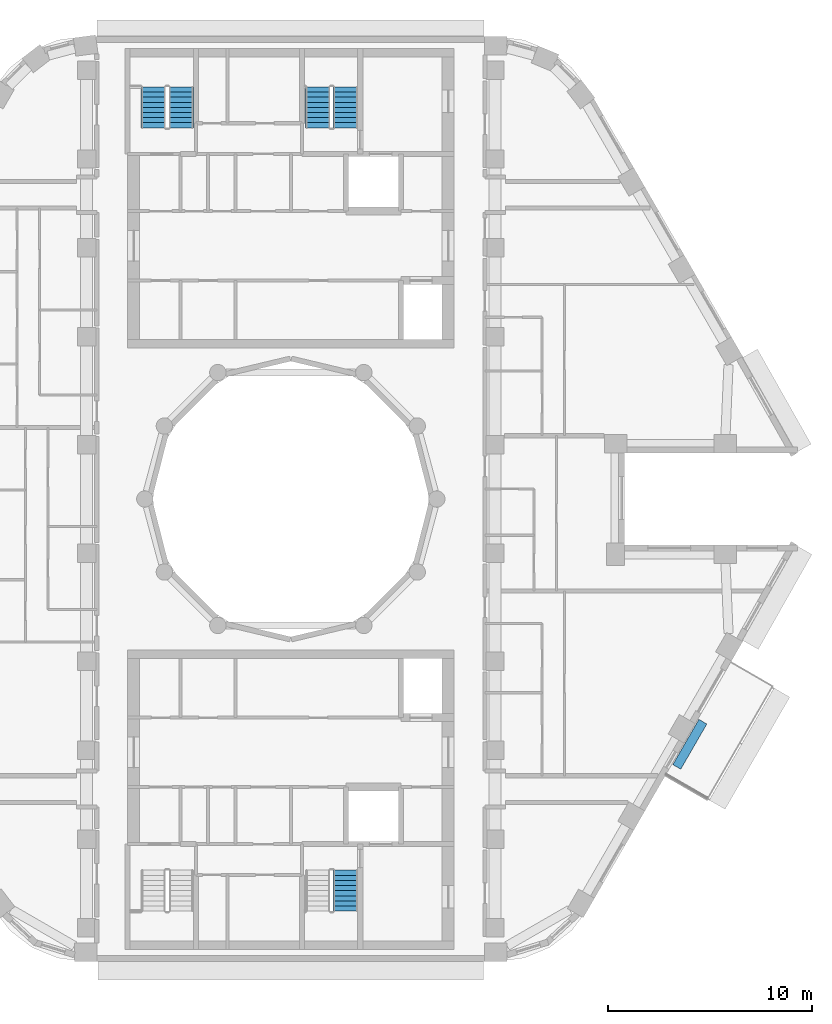
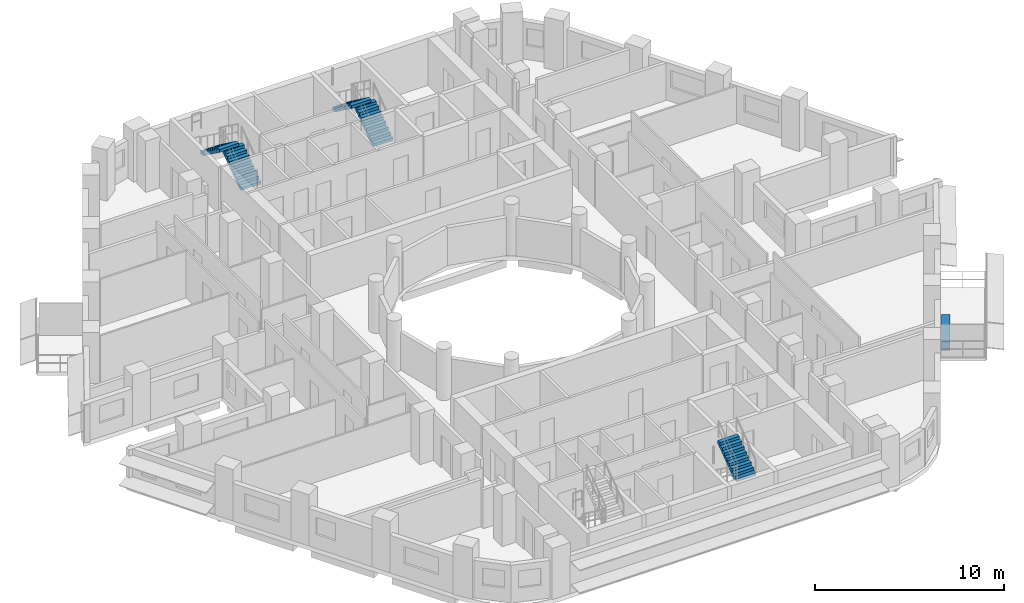
# One storey, part 9 of 14: 5 stair flights, 1 discrete accessory, 3 elements without a shape of their own.
"""IFC4 building model written with IfcOpenShell, lengths in metres."""

from ifc_helpers import new_model, si_unit, direction, frame, origin, origin_2d, place, context, subcontext, project, spatial, polyline, rectangle, outline, extrude, material, type_object, element, aggregate, save


model = new_model("IFC4")

# Units and contexts
model_context = context("Model", 3, precision=1e-05, world=origin(), true_north=direction((0.0, 1.0)))
body_context = subcontext(model_context, "Body", "Model", "MODEL_VIEW")
ifc_project = project(units=[si_unit("LENGTHUNIT", "METRE"), si_unit("AREAUNIT", "SQUARE_METRE"), si_unit("VOLUMEUNIT", "CUBIC_METRE"), si_unit("PLANEANGLEUNIT", "RADIAN"), si_unit("MASSUNIT", "GRAM", prefix="KILO")], contexts=[model_context])

# Site, building, storey
site_placement = place(None, origin())
site = spatial("IfcSite", under=ifc_project, at=site_placement, CompositionType="ELEMENT")
building_placement = place(site_placement, origin())
building = spatial("IfcBuilding", under=site, at=building_placement, Name="Nakaniwa Court", CompositionType="ELEMENT")
storey_placement = place(building_placement, frame((0.0, 0.0, 262.5)))
storey = spatial("IfcBuildingStorey", under=building, at=storey_placement, Name="L69", CompositionType="ELEMENT", Elevation=262.5)

# Stair, stair flights
ifc_material_1 = material(Name="Concrete C80/100", Category="concrete")
stair_type = type_object("IfcStairType", Name="Dog leg stair 1200 wide 18 risers", PredefinedType="HALF_TURN_STAIR", material=ifc_material_1)
stair_1_placement = place(storey_placement, origin())
stair_1 = element("IfcStair", 1, at=stair_1_placement, inside=storey, type_object=stair_type, Name="L69 Stair ST1", PredefinedType="HALF_TURN_STAIR")
stair_flight_type = type_object("IfcStairFlightType", Name="Stair flight 1200 wide 9 risers", PredefinedType="STRAIGHT", material=ifc_material_1)
stair_flight_1_placement = place(storey_placement, frame((74.625, 98.175048828125, 0.0), z_axis=(0.0, 0.0, 1.0), x_axis=(0.0, 1.0, 0.0)))
stair_flight_1 = element("IfcStairFlight", 2, at=stair_flight_1_placement, type_object=stair_flight_type, Name="ST1 flight 1", NumberOfRisers=9, NumberOfTreads=8, PredefinedType="STRAIGHT", RiserHeight=0.183333333, TreadLength=0.25, context=body_context, shape_type="SweptSolid", body=[
    extrude(outline(polyline([(0.0, 0.0), (0.0, 0.026123046875), (0.0, 0.052490234375), (0.0, 0.07861328125), (0.0, 0.104736328125), (0.0, 0.130859375), (0.0, 0.1572265625), (0.0, 0.183349609375), (0.25, 0.183349609375), (0.25, 0.36669921875), (0.5, 0.36669921875), (0.5, 0.550048828125), (0.75, 0.550048828125), (0.75, 0.7333984375), (1.0, 0.7333984375), (1.0, 0.916748046875), (1.25, 0.916748046875), (1.25, 1.10009765625), (1.5, 1.10009765625), (1.5, 1.283447265625), (1.75, 1.283447265625), (1.75, 1.466552734375), (2.0, 1.466552734375), (2.0, 1.64990234375), (2.0, 1.59716796875), (2.0, 1.54443359375), (2.0, 1.49169921875), (2.0, 1.43896484375), (2.0, 1.38623046875), (2.0, 1.33349609375), (2.0, 1.28076171875), (0.25341796875, 0.0), (0.0, 0.0)])), frame((0.0, 0.60009765625, 0.0), z_axis=(0.0, -1.0, 0.0), x_axis=(1.0, 0.0, 0.0)), (0.0, 0.0, 1.0), 1.199951171875),
])
stair_flight_2_placement = place(storey_placement, frame((73.27490234375, 100.175048828125, 1.64990234375), z_axis=(0.0, 0.0, 1.0), x_axis=(0.0, -1.0, 0.0)))
stair_flight_2 = element("IfcStairFlight", 3, at=stair_flight_2_placement, type_object=stair_flight_type, Name="ST1 flight 2", NumberOfRisers=9, NumberOfTreads=8, PredefinedType="STRAIGHT", RiserHeight=0.183333333, TreadLength=0.25, context=body_context, shape_type="SweptSolid", body=[
    extrude(outline(polyline([(0.0, 0.0), (0.0, 0.026123046875), (0.0, 0.052490234375), (0.0, 0.07861328125), (0.0, 0.104736328125), (0.0, 0.130859375), (0.0, 0.1572265625), (0.0, 0.183349609375), (0.25, 0.183349609375), (0.25, 0.36669921875), (0.5, 0.36669921875), (0.5, 0.550048828125), (0.75, 0.550048828125), (0.75, 0.7333984375), (1.0, 0.7333984375), (1.0, 0.916748046875), (1.25, 0.916748046875), (1.25, 1.10009765625), (1.5, 1.10009765625), (1.5, 1.283447265625), (1.75, 1.283447265625), (1.75, 1.466552734375), (2.0, 1.466552734375), (2.0, 1.64990234375), (2.0, 1.59716796875), (2.0, 1.54443359375), (2.0, 1.49169921875), (2.0, 1.43896484375), (2.0, 1.38623046875), (2.0, 1.33349609375), (2.0, 1.28076171875), (0.25341796875, 0.0), (0.0, 0.0)])), frame((0.0, 0.60009765625, 0.0), z_axis=(0.0, -1.0, 0.0), x_axis=(1.0, 0.0, 0.0)), (0.0, 0.0, 1.0), 1.199951171875),
])
aggregate(stair_1, [stair_flight_1, stair_flight_2])

stair_2_placement = place(storey_placement, origin())
stair_2 = element("IfcStair", 4, at=stair_2_placement, inside=storey, type_object=stair_type, Name="L69 Stair ST2", PredefinedType="HALF_TURN_STAIR")
stair_flight_3_placement = place(storey_placement, frame((82.675048828125, 98.175048828125, 0.0), z_axis=(0.0, 0.0, 1.0), x_axis=(0.0, 1.0, 0.0)))
stair_flight_3 = element("IfcStairFlight", 5, at=stair_flight_3_placement, type_object=stair_flight_type, Name="ST2 flight 1", NumberOfRisers=9, NumberOfTreads=8, PredefinedType="STRAIGHT", RiserHeight=0.183333333, TreadLength=0.25, context=body_context, shape_type="SweptSolid", body=[
    extrude(outline(polyline([(0.0, 0.0), (0.0, 0.026123046875), (0.0, 0.052490234375), (0.0, 0.07861328125), (0.0, 0.104736328125), (0.0, 0.130859375), (0.0, 0.1572265625), (0.0, 0.183349609375), (0.25, 0.183349609375), (0.25, 0.36669921875), (0.5, 0.36669921875), (0.5, 0.550048828125), (0.75, 0.550048828125), (0.75, 0.7333984375), (1.0, 0.7333984375), (1.0, 0.916748046875), (1.25, 0.916748046875), (1.25, 1.10009765625), (1.5, 1.10009765625), (1.5, 1.283447265625), (1.75, 1.283447265625), (1.75, 1.466552734375), (2.0, 1.466552734375), (2.0, 1.64990234375), (2.0, 1.59716796875), (2.0, 1.54443359375), (2.0, 1.49169921875), (2.0, 1.43896484375), (2.0, 1.38623046875), (2.0, 1.33349609375), (2.0, 1.28076171875), (0.25341796875, 0.0), (0.0, 0.0)])), frame((0.0, 0.60009765625, 0.0), z_axis=(0.0, -1.0, 0.0), x_axis=(1.0, 0.0, 0.0)), (0.0, 0.0, 1.0), 1.199951171875),
])
stair_flight_4_placement = place(storey_placement, frame((81.324951171875, 100.175048828125, 1.64990234375), z_axis=(0.0, 0.0, 1.0), x_axis=(0.0, -1.0, 0.0)))
stair_flight_4 = element("IfcStairFlight", 6, at=stair_flight_4_placement, type_object=stair_flight_type, Name="ST2 flight 2", NumberOfRisers=9, NumberOfTreads=8, PredefinedType="STRAIGHT", RiserHeight=0.183333333, TreadLength=0.25, context=body_context, shape_type="SweptSolid", body=[
    extrude(outline(polyline([(0.0, 0.0), (0.0, 0.026123046875), (0.0, 0.052490234375), (0.0, 0.07861328125), (0.0, 0.104736328125), (0.0, 0.130859375), (0.0, 0.1572265625), (0.0, 0.183349609375), (0.25, 0.183349609375), (0.25, 0.36669921875), (0.5, 0.36669921875), (0.5, 0.550048828125), (0.75, 0.550048828125), (0.75, 0.7333984375), (1.0, 0.7333984375), (1.0, 0.916748046875), (1.25, 0.916748046875), (1.25, 1.10009765625), (1.5, 1.10009765625), (1.5, 1.283447265625), (1.75, 1.283447265625), (1.75, 1.466552734375), (2.0, 1.466552734375), (2.0, 1.64990234375), (2.0, 1.59716796875), (2.0, 1.54443359375), (2.0, 1.49169921875), (2.0, 1.43896484375), (2.0, 1.38623046875), (2.0, 1.33349609375), (2.0, 1.28076171875), (0.25341796875, 0.0), (0.0, 0.0)])), frame((0.0, 0.60009765625, 0.0), z_axis=(0.0, -1.0, 0.0), x_axis=(1.0, 0.0, 0.0)), (0.0, 0.0, 1.0), 1.199951171875),
])
aggregate(stair_2, [stair_flight_3, stair_flight_4])

# Stair, stair flight
stair_3_placement = place(storey_placement, origin())
stair_3 = element("IfcStair", 7, at=stair_3_placement, inside=storey, type_object=stair_type, Name="L69 Stair ST4", PredefinedType="HALF_TURN_STAIR")
stair_flight_5_placement = place(storey_placement, frame((82.675048828125, 59.824951171875, 1.64990234375), z_axis=(0.0, 0.0, 1.0), x_axis=(0.0, 1.0, 0.0)))
stair_flight_5 = element("IfcStairFlight", 8, at=stair_flight_5_placement, type_object=stair_flight_type, Name="ST4 flight 2", NumberOfRisers=9, NumberOfTreads=8, PredefinedType="STRAIGHT", RiserHeight=0.183333333, TreadLength=0.25, context=body_context, shape_type="SweptSolid", body=[
    extrude(outline(polyline([(0.0, 0.0), (0.0, 0.026123046875), (0.0, 0.052490234375), (0.0, 0.07861328125), (0.0, 0.104736328125), (0.0, 0.130859375), (0.0, 0.1572265625), (0.0, 0.183349609375), (0.25, 0.183349609375), (0.25, 0.36669921875), (0.5, 0.36669921875), (0.5, 0.550048828125), (0.75, 0.550048828125), (0.75, 0.7333984375), (1.0, 0.7333984375), (1.0, 0.916748046875), (1.25, 0.916748046875), (1.25, 1.10009765625), (1.5, 1.10009765625), (1.5, 1.283447265625), (1.75, 1.283447265625), (1.75, 1.466552734375), (2.0, 1.466552734375), (2.0, 1.64990234375), (2.0, 1.59716796875), (2.0, 1.54443359375), (2.0, 1.49169921875), (2.0, 1.43896484375), (2.0, 1.38623046875), (2.0, 1.33349609375), (2.0, 1.28076171875), (0.25341796875, 0.0), (0.0, 0.0)])), frame((0.0, 0.60009765625, 0.0), z_axis=(0.0, -1.0, 0.0), x_axis=(1.0, 0.0, 0.0)), (0.0, 0.0, 1.0), 1.199951171875),
])
aggregate(stair_3, [stair_flight_5])

# Discrete accessory
ifc_material_2 = material(Name="Precast concrete C40/50 planter with planted soil", Category="concrete")
discrete_accessory_type = type_object("IfcDiscreteAccessoryType", Name="Planter box charcoal concrete", PredefinedType="USERDEFINED", material=ifc_material_2)
discrete_accessory_placement = place(storey_placement, frame((99.537109375, 67.9892578125, -0.0498046875), z_axis=(0.0, 0.0, 1.0), x_axis=(0.499986396443, 0.866033257659, 0.0)))
element("IfcDiscreteAccessory", 9, at=discrete_accessory_placement, inside=storey, type_object=discrete_accessory_type, Name="L69 balcony PLANTER 02", ObjectType="PLANTER", PredefinedType="USERDEFINED", context=body_context, shape_type="SweptSolid", body=[
    extrude(rectangle(XDim=2.5595703125, YDim=0.449951171875, at=origin_2d()), origin(), (0.0, 0.0, 1.0), 0.550048828125),
])

save(model, "model.ifc")
